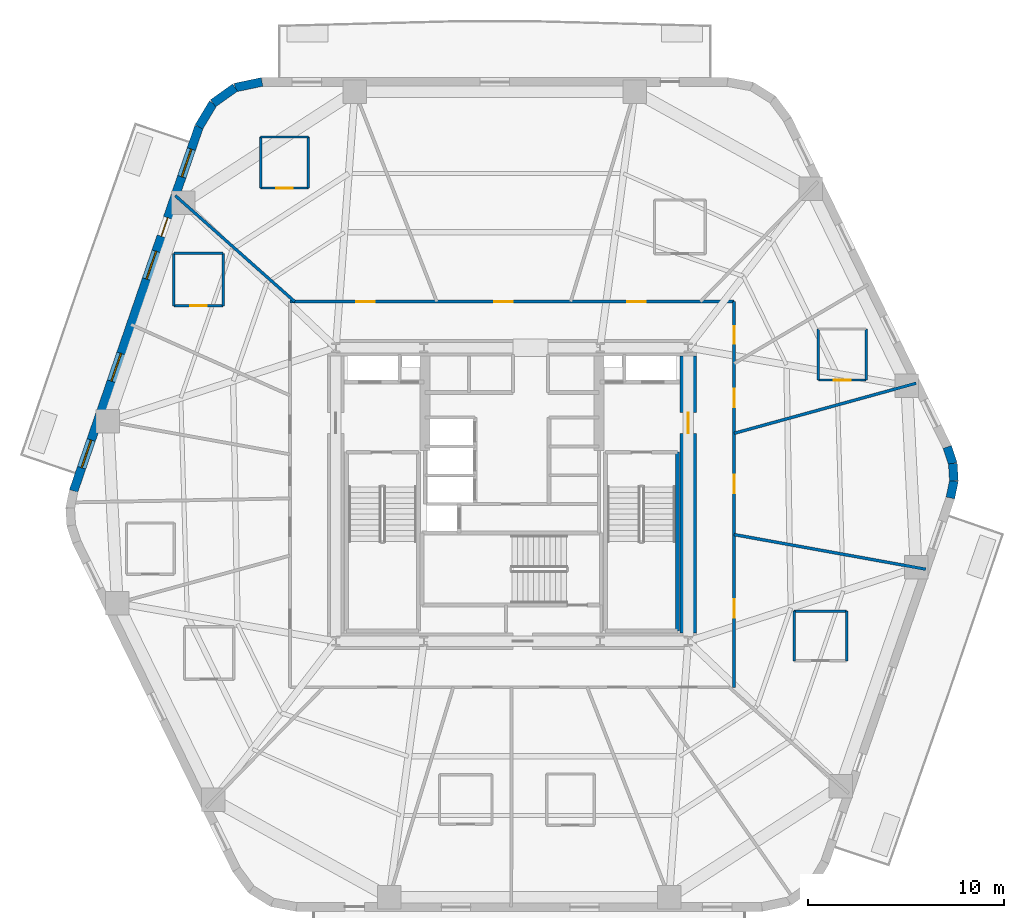
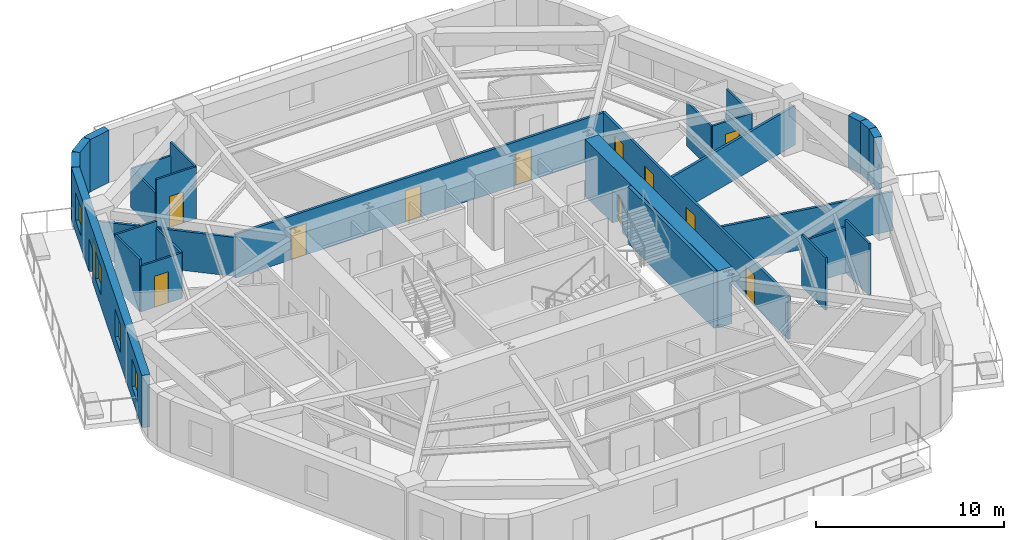
# One storey, part 5 of 8: 28 walls, 12 doors, 4 windows, 16 openings.
"""IFC4 building model written with IfcOpenShell, lengths in metres."""

import ifcopenshell
import ifcopenshell.guid

model = None  # the IFC model being written
_history = None  # IfcOwnerHistory: only IFC2X3 demands one
_inside = {}  # id of a spatial element -> (the spatial element, [elements in it])
_under = {}  # id of a project, library or spatial element -> (it, [spatial elements below it])
_declared = {}  # id of a project -> (the project, [libraries it declares])
_typed = {}  # id of a type object -> (the type object, [elements of that type])
_made_of = {}  # id of a material, layer set ... -> (it, [elements and type objects made of it])


def new_model(schema):
    """Start an empty IFC model of exactly this schema.

    Asked for "IFC4X3", IfcOpenShell would pick the latest addendum, in which some entities
    have other attributes; the version numbers below select the first issue.
    IFC2X3 requires an IfcOwnerHistory on every rooted entity: one is made here for all.
    """
    global model, _history
    if schema == "IFC4X3":
        model = ifcopenshell.file(schema_version=(4, 3, 0, 0))
    else:
        model = ifcopenshell.file(schema=schema)
    _inside.clear()
    _under.clear()
    _declared.clear()
    _typed.clear()
    _made_of.clear()
    _history = None
    if model.schema == "IFC2X3":
        org = make("IfcOrganization", Name="unknown")
        user = make(
            "IfcPersonAndOrganization",
            ThePerson=make("IfcPerson", FamilyName="unknown"),
            TheOrganization=org,
        )
        app = make(
            "IfcApplication",
            ApplicationDeveloper=org,
            Version="unknown",
            ApplicationFullName="unknown",
            ApplicationIdentifier="unknown",
        )
        _history = make(
            "IfcOwnerHistory",
            OwningUser=user,
            OwningApplication=app,
            ChangeAction="ADDED",
            CreationDate=0,
        )
    return model


def make(cls, **values):
    """One entity of the class cls with the attributes given. An attribute that is None is left unset."""
    return model.create_entity(
        cls, **{name: value for name, value in values.items() if value is not None}
    )


def rooted(cls, **values):
    """An entity with a GlobalId (a new one), such as an element, a storey or a relation."""
    return make(cls, GlobalId=ifcopenshell.guid.new(), OwnerHistory=_history, **values)


def si_unit(unit_type, name, prefix=None):
    """IfcSIUnit, for example si_unit("LENGTHUNIT", "METRE", prefix="MILLI")."""
    return make("IfcSIUnit", UnitType=unit_type, Prefix=prefix, Name=name)


def assignment(units):
    """IfcUnitAssignment: the units of a project."""
    return None if units is None else make("IfcUnitAssignment", Units=units)


def point(xyz):
    """IfcCartesianPoint."""
    return None if xyz is None else make("IfcCartesianPoint", Coordinates=xyz)


def direction(xyz):
    """IfcDirection."""
    return None if xyz is None else make("IfcDirection", DirectionRatios=xyz)


def frame(location, z_axis=None, x_axis=None):
    """IfcAxis2Placement3D, a coordinate frame: its origin and axes. An axis left out is left unset."""
    return make(
        "IfcAxis2Placement3D",
        Location=point(location),
        Axis=direction(z_axis),
        RefDirection=direction(x_axis),
    )


def frame_2d(location, x_axis=None):
    """IfcAxis2Placement2D, a coordinate frame in the plane: its origin and x axis."""
    return make(
        "IfcAxis2Placement2D", Location=point(location), RefDirection=direction(x_axis)
    )


def origin():
    """The frame at (0, 0, 0) with its axes left unset."""
    return frame((0.0, 0.0, 0.0))


def place(relative_to, where):
    """IfcLocalPlacement: puts the frame where relative to a parent placement (None: the world)."""
    return make(
        "IfcLocalPlacement", PlacementRelTo=relative_to, RelativePlacement=where
    )


def context(
    kind, dimensions, precision=None, world=None, true_north=None, identifier=None
):
    """IfcGeometricRepresentationContext, for example the 3D "Model" context."""
    return make(
        "IfcGeometricRepresentationContext",
        ContextIdentifier=identifier,
        ContextType=kind,
        CoordinateSpaceDimension=dimensions,
        Precision=precision,
        WorldCoordinateSystem=world,
        TrueNorth=true_north,
    )


def subcontext(parent, identifier, kind, view, scale=None):
    """IfcGeometricRepresentationSubContext, for example "Body" below "Model"."""
    return make(
        "IfcGeometricRepresentationSubContext",
        ContextIdentifier=identifier,
        ContextType=kind,
        ParentContext=parent,
        TargetScale=scale,
        TargetView=view,
    )


def project(units=None, contexts=None):
    """IfcProject with its units and contexts."""
    return rooted(
        "IfcProject",
        Name="project",
        RepresentationContexts=contexts,
        UnitsInContext=assignment(units),
    )


def spatial(cls, under=None, at=None, **own):
    """A site, building, storey or space (cls), placed at a placement, below another one or the project."""
    s = rooted(cls, ObjectPlacement=at, **own)
    if under is not None:
        _under.setdefault(under.id(), (under, []))[1].append(s)
    return s


def profile(cls, at=None, kind="AREA", **sizes):
    """A parametric profile (cls). Its sizes go by their IFC names, for example OverallWidth=200.0."""
    return make(cls, ProfileType=kind, Position=at, **sizes)


def rectangle(**sizes):
    """IfcRectangleProfileDef."""
    return profile("IfcRectangleProfileDef", **sizes)


def extrude(swept, where, along, depth):
    """IfcExtrudedAreaSolid: the profile swept, set in the frame where, extruded along a direction by depth."""
    return make(
        "IfcExtrudedAreaSolid",
        SweptArea=swept,
        Position=where,
        ExtrudedDirection=direction(along),
        Depth=depth,
    )


def shape(context_of_items, identifier, shape_type, items):
    """IfcShapeRepresentation: the items that make up one representation, for example the "Body"."""
    return make(
        "IfcShapeRepresentation",
        ContextOfItems=context_of_items,
        RepresentationIdentifier=identifier,
        RepresentationType=shape_type,
        Items=items,
    )


def material(Name=None, Category=None):
    """IfcMaterial."""
    return make("IfcMaterial", Name=Name, Category=Category)


def layer(
    of_material, thickness, ventilated=None, Name=None, Category=None, Priority=None
):
    """IfcMaterialLayer: one layer of a wall or slab, of a material (None: an air gap)."""
    return make(
        "IfcMaterialLayer",
        Material=of_material,
        LayerThickness=thickness,
        IsVentilated=ventilated,
        Name=Name,
        Category=Category,
        Priority=Priority,
    )


def layer_set(layers, Name=None):
    """IfcMaterialLayerSet."""
    return make("IfcMaterialLayerSet", MaterialLayers=layers, LayerSetName=Name)


def made_of(thing, what):
    """Note that an element or type object is made of a material, layer set ...; save() writes the relation."""
    if what is not None:
        _made_of.setdefault(what.id(), (what, []))[1].append(thing)
    return thing


def type_object(cls, material=None, **own):
    """A type object (cls), such as IfcWallType, which elements share."""
    return made_of(rooted(cls, **own), material)


def element(
    cls,
    number,
    at=None,
    inside=None,
    cuts=None,
    type_object=None,
    material=None,
    context=None,
    identifier="Body",
    shape_type=None,
    held_by="IfcProductDefinitionShape",
    body=None,
    shapes=None,
    **own,
):
    """One element of the class cls, such as IfcWall. Its Tag is "e" and its number.

    at: its placement. inside: the storey or other place that contains it. cuts: it is an
    opening in that element (IfcRelVoidsElement). A single representation is given by context,
    identifier, shape_type and body (its items); several are given by shapes. held_by: the class
    of the entity that holds the representations. save() writes the other relations.
    """
    e = rooted(cls, Tag="e%d" % number, ObjectPlacement=at, **own)
    if body is not None:
        shapes = [shape(context, identifier, shape_type, body)]
    if shapes is not None:
        e.Representation = make(held_by, Representations=shapes)
    if inside is not None:
        _inside.setdefault(inside.id(), (inside, []))[1].append(e)
    if cuts is not None:
        rooted(
            "IfcRelVoidsElement", RelatingBuildingElement=cuts, RelatedOpeningElement=e
        )
    if type_object is not None:
        _typed.setdefault(type_object.id(), (type_object, []))[1].append(e)
    return made_of(e, material)


def fill(opening, filler):
    """IfcRelFillsElement: the door or window that sits in an opening."""
    return rooted(
        "IfcRelFillsElement",
        RelatingOpeningElement=opening,
        RelatedBuildingElement=filler,
    )


def aggregate(whole, parts):
    """IfcRelAggregates: a whole, such as a stair, and the parts it consists of."""
    return rooted("IfcRelAggregates", RelatingObject=whole, RelatedObjects=parts)


def save(model, path):
    """Write the relations noted so far, then the file.

    IfcRelAggregates (storeys below a building ...), IfcRelContainedInSpatialStructure (elements
    in a storey), IfcRelDefinesByType, IfcRelAssociatesMaterial and IfcRelDeclares: one each for
    every whole, place, type object, material and project.
    """
    for whole, parts in _under.values():
        aggregate(whole, parts)
    for where, things in _inside.values():
        rooted(
            "IfcRelContainedInSpatialStructure",
            RelatedElements=things,
            RelatingStructure=where,
        )
    for kind, things in _typed.values():
        rooted("IfcRelDefinesByType", RelatedObjects=things, RelatingType=kind)
    for what, things in _made_of.values():
        rooted("IfcRelAssociatesMaterial", RelatedObjects=things, RelatingMaterial=what)
    for by, libraries in _declared.values():
        rooted("IfcRelDeclares", RelatingContext=by, RelatedDefinitions=libraries)
    model.write(path)


model = new_model("IFC4")

# Units and contexts
model_context = context("Model", 3, precision=1e-05, world=origin(), true_north=direction((0.0, 1.0)))
body_context = subcontext(model_context, "Body", "Model", "MODEL_VIEW")
ifc_project = project(units=[si_unit("LENGTHUNIT", "METRE"), si_unit("AREAUNIT", "SQUARE_METRE"), si_unit("VOLUMEUNIT", "CUBIC_METRE"), si_unit("PLANEANGLEUNIT", "RADIAN"), si_unit("MASSUNIT", "GRAM", prefix="KILO")], contexts=[model_context])

# Site, building, storey
site_placement = place(None, origin())
site = spatial("IfcSite", under=ifc_project, at=site_placement, CompositionType="ELEMENT")
building_placement = place(site_placement, origin())
building = spatial("IfcBuilding", under=site, at=building_placement, Name="Kilnhurst Terrace Hotel", CompositionType="ELEMENT")
storey_placement = place(building_placement, frame((0.0, 0.0, 106.199951171875)))
storey = spatial("IfcBuildingStorey", under=building, at=storey_placement, Name="L25", CompositionType="ELEMENT", Elevation=106.199951171875)

# Walls
ifc_material_1 = material(Name="Precast concrete C40/50", Category="concrete")
ifc_layer_1 = layer(ifc_material_1, 0.449951171875, Name="Precast concrete C40/50")
ifc_layer_set_1 = layer_set([ifc_layer_1], Name="Precast concrete C40/50")
wall_type_1 = type_object("IfcWallType", Name="WL-BRK-450", PredefinedType="SOLIDWALL", material=ifc_layer_set_1)
wall_1_placement = place(storey_placement, frame((22.39697265625, -0.17919921875, 0.0), z_axis=(0.0, 0.0, 1.0), x_axis=(0.199313589404, 0.979935759669, 0.0)))
element("IfcWall", 1, at=wall_1_placement, inside=storey, type_object=wall_type_1, Name="L25 Rounded Corner Brick Wall C3.1", PredefinedType="SOLIDWALL", context=body_context, shape_type="SweptSolid", body=[
    extrude(rectangle(XDim=0.8955078125, YDim=0.449951171875, at=frame_2d((0.44775390625, 0.0))), origin(), (0.0, 0.0, 1.0), 3.400146484375),
])
wall_2_placement = place(storey_placement, frame((22.575439453125, 0.6982421875, 0.0), z_axis=(0.0, 0.0, 1.0), x_axis=(-0.060980441946, 0.998138961117, 0.0)))
element("IfcWall", 2, at=wall_2_placement, inside=storey, type_object=wall_type_1, Name="L25 Rounded Corner Brick Wall C3.2", PredefinedType="SOLIDWALL", context=body_context, shape_type="SweptSolid", body=[
    extrude(rectangle(XDim=0.880859375, YDim=0.449951171875, at=frame_2d((0.4404296875, 0.0))), origin(), (0.0, 0.0, 1.0), 3.400146484375),
])
wall_3_placement = place(storey_placement, frame((22.521728515625, 1.577392578125, 0.0), z_axis=(0.0, 0.0, 1.0), x_axis=(-0.317372694837, 0.948300887151, 0.0)))
element("IfcWall", 3, at=wall_3_placement, inside=storey, type_object=wall_type_1, Name="L25 Rounded Corner Brick Wall C3.3", PredefinedType="SOLIDWALL", context=body_context, shape_type="SweptSolid", body=[
    extrude(rectangle(XDim=0.8955078125, YDim=0.449951171875, at=frame_2d((0.44775390625, 0.0))), origin(), (0.0, 0.0, 1.0), 3.400146484375),
])
wall_4_placement = place(storey_placement, frame((-12.7705078125, 21.074951171875, 0.0), z_axis=(0.0, 0.0, 1.0), x_axis=(-0.97874281988, -0.205091424819, 0.0)))
element("IfcWall", 4, at=wall_4_placement, inside=storey, type_object=wall_type_1, Name="L25 Rounded Corner Brick Wall C5.1", PredefinedType="SOLIDWALL", context=body_context, shape_type="SweptSolid", body=[
    extrude(rectangle(XDim=1.40576171875, YDim=0.449951171875, at=frame_2d((0.702880859375, 0.0))), origin(), (0.0, 0.0, 1.0), 3.400146484375),
])
wall_5_placement = place(storey_placement, frame((-14.146484375, 20.78662109375, 0.0), z_axis=(0.0, 0.0, 1.0), x_axis=(-0.814162929117, -0.580636482536, 0.0)))
element("IfcWall", 5, at=wall_5_placement, inside=storey, type_object=wall_type_1, Name="L25 Rounded Corner Brick Wall C5.2", PredefinedType="SOLIDWALL", context=body_context, shape_type="SweptSolid", body=[
    extrude(rectangle(XDim=1.382080078125, YDim=0.449951171875, at=frame_2d((0.69091796875, 0.0))), origin(), (0.0, 0.0, 1.0), 3.400146484375),
])
wall_6_placement = place(storey_placement, frame((-15.271728515625, 19.984130859375, 0.0), z_axis=(0.0, 0.0, 1.0), x_axis=(-0.512579347361, -0.858639862025, 0.0)))
element("IfcWall", 6, at=wall_6_placement, inside=storey, type_object=wall_type_1, Name="L25 Rounded Corner Brick Wall C5.3", PredefinedType="SOLIDWALL", context=body_context, shape_type="SweptSolid", body=[
    extrude(rectangle(XDim=1.406005859375, YDim=0.449951171875, at=frame_2d((0.703125, 0.0))), origin(), (0.0, 0.0, 1.0), 3.400146484375),
])

# Wall, openings, door, windows
wall_7_placement = place(storey_placement, frame((-15.992431640625, 18.77685546875, 0.0), z_axis=(0.0, 0.0, 1.0), x_axis=(-0.325606988926, -0.945505202927, 0.0)))
wall_7 = element("IfcWall", 7, at=wall_7_placement, inside=storey, type_object=wall_type_1, Name="L25 Exterior Brick Facade Wall F5", PredefinedType="SOLIDWALL", context=body_context, shape_type="SweptSolid", body=[
    extrude(rectangle(XDim=19.66943359375, YDim=0.449951171875, at=frame_2d((9.834716796875, 0.0))), origin(), (0.0, 0.0, 1.0), 3.400146484375),
])
opening_1_placement = place(wall_7_placement, frame((4.908935546875, 0.0, 0.0)))
opening_1 = element("IfcOpeningElement", 8, at=opening_1_placement, cuts=wall_7, Name="Opening BD-1000", PredefinedType="OPENING", context=body_context, shape_type="SweptSolid", body=[
    extrude(rectangle(XDim=1.0, YDim=2.14990234375, at=frame_2d((0.5, 1.074951171875))), frame((0.0, 0.23486328125, 0.0), z_axis=(0.0, -1.0, 0.0), x_axis=(1.0, 0.0, 0.0)), (0.0, 0.0, 1.0), 0.469970703125),
])
opening_2_placement = place(wall_7_placement, frame((1.197021484375, 0.0, 0.800048828125)))
opening_2 = element("IfcOpeningElement", 9, at=opening_2_placement, cuts=wall_7, Name="Opening W-02", PredefinedType="OPENING", context=body_context, shape_type="SweptSolid", body=[
    extrude(rectangle(XDim=1.5, YDim=1.800048828125, at=frame_2d((0.75, 0.89990234375))), frame((0.0, 0.23486328125, 0.0), z_axis=(0.0, -1.0, 0.0), x_axis=(1.0, 0.0, 0.0)), (0.0, 0.0, 1.0), 0.469970703125),
])
opening_3_placement = place(wall_7_placement, frame((6.719970703125, 0.0, 0.800048828125)))
opening_3 = element("IfcOpeningElement", 10, at=opening_3_placement, cuts=wall_7, Name="Opening W-02", PredefinedType="OPENING", context=body_context, shape_type="SweptSolid", body=[
    extrude(rectangle(XDim=1.5, YDim=1.800048828125, at=frame_2d((0.75, 0.89990234375))), frame((0.0, 0.23486328125, 0.0), z_axis=(0.0, -1.0, 0.0), x_axis=(1.0, 0.0, 0.0)), (0.0, 0.0, 1.0), 0.469970703125),
])
opening_4_placement = place(wall_7_placement, frame((12.238037109375, 0.0, 0.800048828125)))
opening_4 = element("IfcOpeningElement", 11, at=opening_4_placement, cuts=wall_7, Name="Opening W-02", PredefinedType="OPENING", context=body_context, shape_type="SweptSolid", body=[
    extrude(rectangle(XDim=1.5, YDim=1.800048828125, at=frame_2d((0.75, 0.89990234375))), frame((0.0, 0.23486328125, 0.0), z_axis=(0.0, -1.0, 0.0), x_axis=(1.0, 0.0, 0.0)), (0.0, 0.0, 1.0), 0.469970703125),
])
opening_5_placement = place(wall_7_placement, frame((16.91796875, 0.0, 0.800048828125)))
opening_5 = element("IfcOpeningElement", 12, at=opening_5_placement, cuts=wall_7, Name="Opening W-02", PredefinedType="OPENING", context=body_context, shape_type="SweptSolid", body=[
    extrude(rectangle(XDim=1.5, YDim=1.800048828125, at=frame_2d((0.75, 0.89990234375))), frame((0.0, 0.23486328125, 0.0), z_axis=(0.0, -1.0, 0.0), x_axis=(1.0, 0.0, 0.0)), (0.0, 0.0, 1.0), 0.469970703125),
])
ifc_material_2 = material(Name="Thermally Broken Bronze Aluminium Alloy 6063-T6 and Laminated Glass", Category="aluminium")
door_type_1 = type_object("IfcDoorType", Name="DR-EXT-BAL-1000", OperationType="NOTDEFINED", PredefinedType="DOOR", material=ifc_material_2)
door_1_placement = place(opening_1_placement, origin())
door_1 = element("IfcDoor", 13, at=door_1_placement, inside=storey, type_object=door_type_1, Name="L25 Planted Balcony Door BAL-L2B", OperationType="SINGLE_SWING_LEFT", OverallHeight=2.14990234375, OverallWidth=1.0, PredefinedType="DOOR", context=body_context, shape_type="SweptSolid", body=[
    extrude(rectangle(XDim=1.0, YDim=2.14990234375, at=frame_2d((0.5, 1.074951171875))), frame((0.0, 0.02490234375, 0.0), z_axis=(0.0, -1.0, 0.0), x_axis=(1.0, 0.0, 0.0)), (0.0, 0.0, 1.0), 0.050048828125),
])
fill(opening_1, door_1)
ifc_material_3 = material(Name="Thermally Broken Bronze Aluminium Alloy 6063-T6 and Low-E Glass", Category="aluminium")
window_type = type_object("IfcWindowType", Name="WIN-1500X1800", PartitioningType="SINGLE_PANEL", PredefinedType="WINDOW", material=ifc_material_3)
window_1_placement = place(opening_2_placement, origin())
window_1 = element("IfcWindow", 14, at=window_1_placement, inside=storey, type_object=window_type, Name="L25 Deep-Set Masonry Window F5.1", OverallHeight=1.800048828125, OverallWidth=1.5, PartitioningType="SINGLE_PANEL", PredefinedType="WINDOW", context=body_context, shape_type="SweptSolid", body=[
    extrude(rectangle(XDim=1.5, YDim=1.800048828125, at=frame_2d((0.75, 0.89990234375))), frame((0.0, 0.030029296875, 0.0), z_axis=(0.0, -1.0, 0.0), x_axis=(1.0, 0.0, 0.0)), (0.0, 0.0, 1.0), 0.06005859375),
])
fill(opening_2, window_1)
window_2_placement = place(opening_3_placement, origin())
window_2 = element("IfcWindow", 15, at=window_2_placement, inside=storey, type_object=window_type, Name="L25 Deep-Set Masonry Window F5.2", OverallHeight=1.800048828125, OverallWidth=1.5, PartitioningType="SINGLE_PANEL", PredefinedType="WINDOW", context=body_context, shape_type="SweptSolid", body=[
    extrude(rectangle(XDim=1.5, YDim=1.800048828125, at=frame_2d((0.75, 0.89990234375))), frame((0.0, 0.030029296875, 0.0), z_axis=(0.0, -1.0, 0.0), x_axis=(1.0, 0.0, 0.0)), (0.0, 0.0, 1.0), 0.06005859375),
])
fill(opening_3, window_2)
window_3_placement = place(opening_4_placement, origin())
window_3 = element("IfcWindow", 16, at=window_3_placement, inside=storey, type_object=window_type, Name="L25 Deep-Set Masonry Window F5.3", OverallHeight=1.800048828125, OverallWidth=1.5, PartitioningType="SINGLE_PANEL", PredefinedType="WINDOW", context=body_context, shape_type="SweptSolid", body=[
    extrude(rectangle(XDim=1.5, YDim=1.800048828125, at=frame_2d((0.75, 0.89990234375))), frame((0.0, 0.030029296875, 0.0), z_axis=(0.0, -1.0, 0.0), x_axis=(1.0, 0.0, 0.0)), (0.0, 0.0, 1.0), 0.06005859375),
])
fill(opening_4, window_3)
window_4_placement = place(opening_5_placement, origin())
window_4 = element("IfcWindow", 17, at=window_4_placement, inside=storey, type_object=window_type, Name="L25 Deep-Set Masonry Window F5.4", OverallHeight=1.800048828125, OverallWidth=1.5, PartitioningType="SINGLE_PANEL", PredefinedType="WINDOW", context=body_context, shape_type="SweptSolid", body=[
    extrude(rectangle(XDim=1.5, YDim=1.800048828125, at=frame_2d((0.75, 0.89990234375))), frame((0.0, 0.030029296875, 0.0), z_axis=(0.0, -1.0, 0.0), x_axis=(1.0, 0.0, 0.0)), (0.0, 0.0, 1.0), 0.06005859375),
])
fill(opening_5, window_4)

# Wall, openings, doors
ifc_material_4 = material(Name="Acoustic Double-Gypsum Corridor Partition Assembly")
ifc_layer_2 = layer(ifc_material_4, 0.14990234375, Name="Acoustic Double-Gypsum Corridor Partition Assembly")
ifc_layer_set_2 = layer_set([ifc_layer_2], Name="Acoustic Double-Gypsum Corridor Partition Assembly")
wall_type_2 = type_object("IfcWallType", Name="WL-COR-150", PredefinedType="PARTITIONING", material=ifc_layer_set_2)
wall_8_placement = place(storey_placement, frame((-11.35009765625, 9.85009765625, 0.0), z_axis=(0.0, 0.0, 1.0), x_axis=(1.0, 0.0, 0.0)))
wall_8 = element("IfcWall", 18, at=wall_8_placement, inside=storey, type_object=wall_type_2, Name="L25 Interior Wall WL-L25-COR-02", PredefinedType="PARTITIONING", context=body_context, shape_type="SweptSolid", body=[
    extrude(rectangle(XDim=22.7001953125, YDim=0.14990234375, at=frame_2d((11.35009765625, 0.0))), origin(), (0.0, 0.0, 1.0), 2.840087890625),
])
opening_6_placement = place(wall_8_placement, frame((17.237060546875, 0.0, 0.0)))
opening_6 = element("IfcOpeningElement", 19, at=opening_6_placement, cuts=wall_8, Name="Opening D-60B", PredefinedType="OPENING", context=body_context, shape_type="SweptSolid", body=[
    extrude(rectangle(XDim=0.949951171875, YDim=2.030029296875, at=frame_2d((0.47509765625, 1.01513671875))), frame((0.0, 0.0849609375, 0.0), z_axis=(0.0, -1.0, 0.0), x_axis=(1.0, 0.0, 0.0)), (0.0, 0.0, 1.0), 0.169921875),
])
opening_7_placement = place(wall_8_placement, frame((10.449951171875, 0.0, 0.0)))
opening_7 = element("IfcOpeningElement", 20, at=opening_7_placement, cuts=wall_8, Name="Opening D-60B", PredefinedType="OPENING", context=body_context, shape_type="SweptSolid", body=[
    extrude(rectangle(XDim=0.949951171875, YDim=2.030029296875, at=frame_2d((0.47509765625, 1.01513671875))), frame((0.0, 0.0849609375, 0.0), z_axis=(0.0, -1.0, 0.0), x_axis=(1.0, 0.0, 0.0)), (0.0, 0.0, 1.0), 0.169921875),
])
opening_8_placement = place(wall_8_placement, frame((3.39892578125, 0.0, 0.0)))
opening_8 = element("IfcOpeningElement", 21, at=opening_8_placement, cuts=wall_8, Name="Opening D-60B", PredefinedType="OPENING", context=body_context, shape_type="SweptSolid", body=[
    extrude(rectangle(XDim=0.949951171875, YDim=2.030029296875, at=frame_2d((0.47509765625, 1.01513671875))), frame((0.0, 0.0849609375, 0.0), z_axis=(0.0, -1.0, 0.0), x_axis=(1.0, 0.0, 0.0)), (0.0, 0.0, 1.0), 0.169921875),
])
ifc_material_5 = material(Name="Acoustic Walnut Veneer Solid-Core Fire Door")
door_type_2 = type_object("IfcDoorType", Name="DR-FD60-950", OperationType="NOTDEFINED", PredefinedType="DOOR", material=ifc_material_5)
door_2_placement = place(opening_6_placement, origin())
door_2 = element("IfcDoor", 22, at=door_2_placement, inside=storey, type_object=door_type_2, Name="L25 Executive Suite Entry Door 3", OperationType="SINGLE_SWING_LEFT", OverallHeight=2.030029296875, OverallWidth=0.949951171875, PredefinedType="DOOR", context=body_context, shape_type="SweptSolid", body=[
    extrude(rectangle(XDim=0.949951171875, YDim=2.030029296875, at=frame_2d((0.47509765625, 1.01513671875))), frame((0.0, 0.02490234375, 0.0), z_axis=(0.0, -1.0, 0.0), x_axis=(1.0, 0.0, 0.0)), (0.0, 0.0, 1.0), 0.050048828125),
])
fill(opening_6, door_2)
door_3_placement = place(opening_7_placement, origin())
door_3 = element("IfcDoor", 23, at=door_3_placement, inside=storey, type_object=door_type_2, Name="L25 Executive Boardroom Door", OperationType="SINGLE_SWING_RIGHT", OverallHeight=2.030029296875, OverallWidth=0.949951171875, PredefinedType="DOOR", context=body_context, shape_type="SweptSolid", body=[
    extrude(rectangle(XDim=0.949951171875, YDim=2.030029296875, at=frame_2d((0.47509765625, 1.01513671875))), frame((0.0, 0.02490234375, 0.0), z_axis=(0.0, -1.0, 0.0), x_axis=(1.0, 0.0, 0.0)), (0.0, 0.0, 1.0), 0.050048828125),
])
fill(opening_7, door_3)
door_4_placement = place(opening_8_placement, origin())
door_4 = element("IfcDoor", 24, at=door_4_placement, inside=storey, type_object=door_type_2, Name="L25 Executive Suite Entry Door 5", OperationType="SINGLE_SWING_LEFT", OverallHeight=2.030029296875, OverallWidth=0.949951171875, PredefinedType="DOOR", context=body_context, shape_type="SweptSolid", body=[
    extrude(rectangle(XDim=0.949951171875, YDim=2.030029296875, at=frame_2d((0.47509765625, 1.01513671875))), frame((0.0, 0.02490234375, 0.0), z_axis=(0.0, -1.0, 0.0), x_axis=(1.0, 0.0, 0.0)), (0.0, 0.0, 1.0), 0.050048828125),
])
fill(opening_8, door_4)

wall_9_placement = place(storey_placement, frame((11.35009765625, 9.85009765625, 0.0), z_axis=(0.0, 0.0, 1.0), x_axis=(0.0, -1.0, 0.0)))
wall_9 = element("IfcWall", 25, at=wall_9_placement, inside=storey, type_object=wall_type_2, Name="L25 Interior Wall WL-L25-COR-03", PredefinedType="PARTITIONING", context=body_context, shape_type="SweptSolid", body=[
    extrude(rectangle(XDim=19.7001953125, YDim=0.14990234375, at=frame_2d((9.85009765625, 0.0))), origin(), (0.0, 0.0, 1.0), 2.840087890625),
])
opening_9_placement = place(wall_9_placement, frame((4.447998046875, 0.0, 0.0)))
opening_9 = element("IfcOpeningElement", 26, at=opening_9_placement, cuts=wall_9, Name="Opening D-60B", PredefinedType="OPENING", context=body_context, shape_type="SweptSolid", body=[
    extrude(rectangle(XDim=0.949951171875, YDim=2.030029296875, at=frame_2d((0.47509765625, 1.01513671875))), frame((0.0, 0.0849609375, 0.0), z_axis=(0.0, -1.0, 0.0), x_axis=(1.0, 0.0, 0.0)), (0.0, 0.0, 1.0), 0.169921875),
])
opening_10_placement = place(wall_9_placement, frame((1.2490234375, 0.0, 0.0)))
opening_10 = element("IfcOpeningElement", 27, at=opening_10_placement, cuts=wall_9, Name="Opening D-60C", PredefinedType="OPENING", context=body_context, shape_type="SweptSolid", body=[
    extrude(rectangle(XDim=0.89990234375, YDim=2.030029296875, at=frame_2d((0.449951171875, 1.01513671875))), frame((0.0, 0.0849609375, 0.0), z_axis=(0.0, -1.0, 0.0), x_axis=(1.0, 0.0, 0.0)), (0.0, 0.0, 1.0), 0.169921875),
])
opening_11_placement = place(wall_9_placement, frame((15.205078125, 0.0, 0.0)))
opening_11 = element("IfcOpeningElement", 28, at=opening_11_placement, cuts=wall_9, Name="Opening D-60B", PredefinedType="OPENING", context=body_context, shape_type="SweptSolid", body=[
    extrude(rectangle(XDim=0.949951171875, YDim=2.030029296875, at=frame_2d((0.47509765625, 1.01513671875))), frame((0.0, 0.0849609375, 0.0), z_axis=(0.0, -1.0, 0.0), x_axis=(1.0, 0.0, 0.0)), (0.0, 0.0, 1.0), 0.169921875),
])
opening_12_placement = place(wall_9_placement, frame((8.8359375, 0.0, 0.0)))
opening_12 = element("IfcOpeningElement", 29, at=opening_12_placement, cuts=wall_9, Name="Opening D-60B", PredefinedType="OPENING", context=body_context, shape_type="SweptSolid", body=[
    extrude(rectangle(XDim=0.949951171875, YDim=2.030029296875, at=frame_2d((0.47509765625, 1.01513671875))), frame((0.0, 0.0849609375, 0.0), z_axis=(0.0, -1.0, 0.0), x_axis=(1.0, 0.0, 0.0)), (0.0, 0.0, 1.0), 0.169921875),
])
ifc_material_6 = material(Name="Painted Solid-Core Service Fire Door")
door_type_3 = type_object("IfcDoorType", Name="DR-FD60-900", OperationType="NOTDEFINED", PredefinedType="DOOR", material=ifc_material_6)
door_5_placement = place(opening_10_placement, origin())
door_5 = element("IfcDoor", 30, at=door_5_placement, inside=storey, type_object=door_type_3, Name="L25 Private Study Salon Door 2", OperationType="SINGLE_SWING_RIGHT", OverallHeight=2.030029296875, OverallWidth=0.89990234375, PredefinedType="DOOR", context=body_context, shape_type="SweptSolid", body=[
    extrude(rectangle(XDim=0.89990234375, YDim=2.030029296875, at=frame_2d((0.449951171875, 1.01513671875))), frame((0.0, 0.02490234375, 0.0), z_axis=(0.0, -1.0, 0.0), x_axis=(1.0, 0.0, 0.0)), (0.0, 0.0, 1.0), 0.050048828125),
])
fill(opening_10, door_5)
door_6_placement = place(opening_9_placement, origin())
door_6 = element("IfcDoor", 31, at=door_6_placement, inside=storey, type_object=door_type_2, Name="L25 Guest Room Entry Door 1", OperationType="SINGLE_SWING_LEFT", OverallHeight=2.030029296875, OverallWidth=0.949951171875, PredefinedType="DOOR", context=body_context, shape_type="SweptSolid", body=[
    extrude(rectangle(XDim=0.949951171875, YDim=2.030029296875, at=frame_2d((0.47509765625, 1.01513671875))), frame((0.0, 0.02490234375, 0.0), z_axis=(0.0, -1.0, 0.0), x_axis=(1.0, 0.0, 0.0)), (0.0, 0.0, 1.0), 0.050048828125),
])
fill(opening_9, door_6)
door_7_placement = place(opening_11_placement, origin())
door_7 = element("IfcDoor", 32, at=door_7_placement, inside=storey, type_object=door_type_2, Name="L25 Executive Suite Entry Door 16", OperationType="SINGLE_SWING_RIGHT", OverallHeight=2.030029296875, OverallWidth=0.949951171875, PredefinedType="DOOR", context=body_context, shape_type="SweptSolid", body=[
    extrude(rectangle(XDim=0.949951171875, YDim=2.030029296875, at=frame_2d((0.47509765625, 1.01513671875))), frame((0.0, 0.02490234375, 0.0), z_axis=(0.0, -1.0, 0.0), x_axis=(1.0, 0.0, 0.0)), (0.0, 0.0, 1.0), 0.050048828125),
])
fill(opening_11, door_7)
door_8_placement = place(opening_12_placement, origin())
door_8 = element("IfcDoor", 33, at=door_8_placement, inside=storey, type_object=door_type_2, Name="L25 Private Dining Room Door", OperationType="SINGLE_SWING_LEFT", OverallHeight=2.030029296875, OverallWidth=0.949951171875, PredefinedType="DOOR", context=body_context, shape_type="SweptSolid", body=[
    extrude(rectangle(XDim=0.949951171875, YDim=2.030029296875, at=frame_2d((0.47509765625, 1.01513671875))), frame((0.0, 0.02490234375, 0.0), z_axis=(0.0, -1.0, 0.0), x_axis=(1.0, 0.0, 0.0)), (0.0, 0.0, 1.0), 0.050048828125),
])
fill(opening_12, door_8)

# Wall, opening, door
ifc_material_7 = material(Name="Concrete C80/95", Category="concrete")
ifc_layer_3 = layer(ifc_material_7, 0.85009765625, Name="Concrete C80/95")
ifc_layer_set_3 = layer_set([ifc_layer_3], Name="Concrete C80/95")
wall_type_3 = type_object("IfcWallType", Name="WL-CORE-850", PredefinedType="SHEAR", material=ifc_layer_set_3)
wall_10_placement = place(storey_placement, frame((9.0, -7.074951171875, 0.0), z_axis=(0.0, 0.0, 1.0), x_axis=(0.0, 1.0, 0.0)))
wall_10 = element("IfcWall", 34, at=wall_10_placement, inside=storey, type_object=wall_type_3, Name="L25 Core East Shear Wall", PredefinedType="SHEAR", context=body_context, shape_type="SweptSolid", body=[
    extrude(rectangle(XDim=14.14990234375, YDim=0.85009765625, at=frame_2d((7.074951171875, 0.0))), origin(), (0.0, 0.0, 1.0), 3.699951171875),
])
opening_13_placement = place(wall_10_placement, frame((10.199951171875, 0.0, 0.0)))
opening_13 = element("IfcOpeningElement", 35, at=opening_13_placement, cuts=wall_10, Name="Opening D-90A", PredefinedType="OPENING", context=body_context, shape_type="SweptSolid", body=[
    extrude(rectangle(XDim=1.050048828125, YDim=2.14990234375, at=frame_2d((0.52490234375, 1.074951171875))), frame((0.0, 0.43505859375, 0.0), z_axis=(0.0, -1.0, 0.0), x_axis=(1.0, 0.0, 0.0)), (0.0, 0.0, 1.0), 0.8701171875),
])
ifc_material_8 = material(Name="Painted Hollow Metal Steel ASTM A36 Fire Door", Category="steel")
door_type_4 = type_object("IfcDoorType", Name="DR-FD90-1050", OperationType="NOTDEFINED", PredefinedType="DOOR", material=ifc_material_8)
door_9_placement = place(opening_13_placement, origin())
door_9 = element("IfcDoor", 36, at=door_9_placement, inside=storey, type_object=door_type_4, Name="L25 East Firefighting Lobby Door", OperationType="SINGLE_SWING_LEFT", OverallHeight=2.14990234375, OverallWidth=1.050048828125, PredefinedType="DOOR", context=body_context, shape_type="SweptSolid", body=[
    extrude(rectangle(XDim=1.050048828125, YDim=2.14990234375, at=frame_2d((0.52490234375, 1.074951171875))), frame((0.0, 0.02490234375, 0.0), z_axis=(0.0, -1.0, 0.0), x_axis=(1.0, 0.0, 0.0)), (0.0, 0.0, 1.0), 0.050048828125),
])
fill(opening_13, door_9)

# Walls
ifc_material_9 = material(Name="STC-58 Acoustic Twin-Frame Guestroom Demising Partition")
ifc_layer_4 = layer(ifc_material_9, 0.14990234375, Name="STC-58 Acoustic Twin-Frame Guestroom Demising Partition")
ifc_layer_set_4 = layer_set([ifc_layer_4], Name="STC-58 Acoustic Twin-Frame Guestroom Demising Partition")
wall_type_4 = type_object("IfcWallType", Name="WL-DEM-150", PredefinedType="PARTITIONING", material=ifc_layer_set_4)
wall_11_placement = place(storey_placement, frame((11.35009765625, 3.123291015625, 0.0), z_axis=(0.0, 0.0, 1.0), x_axis=(0.964151983214, 0.265350623261, 0.0)))
element("IfcWall", 37, at=wall_11_placement, inside=storey, type_object=wall_type_4, Name="L25 Interior Wall WL-L25-DEM-COL01-01-1", PredefinedType="PARTITIONING", context=body_context, shape_type="SweptSolid", body=[
    extrude(rectangle(XDim=9.64501953125, YDim=0.14990234375, at=frame_2d((4.822509765625, 0.0))), origin(), (0.0, 0.0, 1.0), 2.5400390625),
])
wall_12_placement = place(storey_placement, frame((-11.097900390625, 9.85009765625, 0.0), z_axis=(0.0, 0.0, 1.0), x_axis=(-0.747904295103, 0.663806572253, 0.0)))
element("IfcWall", 38, at=wall_12_placement, inside=storey, type_object=wall_type_4, Name="L25 Interior Wall WL-L25-DEM-COL05-06-1", PredefinedType="PARTITIONING", context=body_context, shape_type="SweptSolid", body=[
    extrude(rectangle(XDim=8.160400390625, YDim=0.14990234375, at=frame_2d((4.080078125, 0.0))), origin(), (0.0, 0.0, 1.0), 2.5400390625),
])
wall_13_placement = place(storey_placement, frame((11.35009765625, -2.05078125, 0.0), z_axis=(0.0, 0.0, 1.0), x_axis=(0.984068313063, -0.177790762484, 0.0)))
element("IfcWall", 39, at=wall_13_placement, inside=storey, type_object=wall_type_4, Name="L25 Interior Wall WL-L25-DEM-COL12-17-1", PredefinedType="PARTITIONING", context=body_context, shape_type="SweptSolid", body=[
    extrude(rectangle(XDim=9.951416015625, YDim=0.14990234375, at=frame_2d((4.9755859375, 0.0))), origin(), (0.0, 0.0, 1.0), 2.5400390625),
])

# Wall, opening, door
ifc_material_10 = material(Name="120 mm Moisture-Resistant Tile-Backed Bathroom Partition")
ifc_layer_5 = layer(ifc_material_10, 0.1201171875, Name="120 mm Moisture-Resistant Tile-Backed Bathroom Partition")
ifc_layer_set_5 = layer_set([ifc_layer_5], Name="120 mm Moisture-Resistant Tile-Backed Bathroom Partition")
wall_type_5 = type_object("IfcWallType", Name="WL-PART-120", PredefinedType="PARTITIONING", material=ifc_layer_set_5)
wall_14_placement = place(storey_placement, frame((15.654052734375, 5.845947265625, 0.0), z_axis=(0.0, 0.0, 1.0), x_axis=(1.0, 0.0, 0.0)))
wall_14 = element("IfcWall", 40, at=wall_14_placement, inside=storey, type_object=wall_type_5, Name="L25 Interior Wall WL-L25-BTH-01-1", PredefinedType="PARTITIONING", context=body_context, shape_type="SweptSolid", body=[
    extrude(rectangle(XDim=2.43994140625, YDim=0.1201171875, at=frame_2d((1.219970703125, 0.0))), origin(), (0.0, 0.0, 1.0), 2.840087890625),
])
opening_14_placement = place(wall_14_placement, frame((0.794921875, 0.0, 0.0)))
opening_14 = element("IfcOpeningElement", 41, at=opening_14_placement, cuts=wall_14, Name="Opening D-08A", PredefinedType="OPENING", context=body_context, shape_type="SweptSolid", body=[
    extrude(rectangle(XDim=0.85009765625, YDim=2.030029296875, at=frame_2d((0.425048828125, 1.01513671875))), frame((0.0, 0.070068359375, 0.0), z_axis=(0.0, -1.0, 0.0), x_axis=(1.0, 0.0, 0.0)), (0.0, 0.0, 1.0), 0.14013671875),
])
ifc_material_11 = material(Name="Moisture-Resistant Lacquered En-suite Bathroom Door")
door_type_5 = type_object("IfcDoorType", Name="DR-INT-850", OperationType="NOTDEFINED", PredefinedType="DOOR", material=ifc_material_11)
door_10_placement = place(opening_14_placement, origin())
door_10 = element("IfcDoor", 42, at=door_10_placement, inside=storey, type_object=door_type_5, Name="L25 En-suite Bathroom Door 1", OperationType="SINGLE_SWING_RIGHT", OverallHeight=2.030029296875, OverallWidth=0.85009765625, PredefinedType="DOOR", context=body_context, shape_type="SweptSolid", body=[
    extrude(rectangle(XDim=0.85009765625, YDim=2.030029296875, at=frame_2d((0.425048828125, 1.01513671875))), frame((0.0, 0.02490234375, 0.0), z_axis=(0.0, -1.0, 0.0), x_axis=(1.0, 0.0, 0.0)), (0.0, 0.0, 1.0), 0.050048828125),
])
fill(opening_14, door_10)

# Walls
for number, where, z_axis, x_axis, name in (
    (43, (18.093994140625, 5.845947265625, 0.0), (0.0, 0.0, 1.0), (0.0, 1.0, 0.0), "L25 Interior Wall WL-L25-BTH-01-2"),
    (44, (15.654052734375, 8.4560546875, 0.0), (0.0, 0.0, 1.0), (0.0, -1.0, 0.0), "L25 Interior Wall WL-L25-BTH-01-4"),
):
    element("IfcWall", number, at=place(storey_placement, frame(where, z_axis=z_axis, x_axis=x_axis)), inside=storey, type_object=wall_type_5, Name=name, PredefinedType="PARTITIONING", context=body_context, shape_type="SweptSolid", body=[
        extrude(rectangle(XDim=2.610107421875, YDim=0.1201171875, at=frame_2d((1.30517578125, 0.0))), origin(), (0.0, 0.0, 1.0), 2.840087890625),
    ])

# Wall, opening, door
wall_15_placement = place(storey_placement, frame((-12.844970703125, 15.655029296875, 0.0), z_axis=(0.0, 0.0, 1.0), x_axis=(1.0, 0.0, 0.0)))
wall_15 = element("IfcWall", 45, at=wall_15_placement, inside=storey, type_object=wall_type_5, Name="L25 Interior Wall WL-L25-BTH-05-1", PredefinedType="PARTITIONING", context=body_context, shape_type="SweptSolid", body=[
    extrude(rectangle(XDim=2.43994140625, YDim=0.1201171875, at=frame_2d((1.219970703125, 0.0))), origin(), (0.0, 0.0, 1.0), 3.400146484375),
])
opening_15_placement = place(wall_15_placement, frame((0.794921875, 0.0, 0.0)))
opening_15 = element("IfcOpeningElement", 46, at=opening_15_placement, cuts=wall_15, Name="Opening D-08A", PredefinedType="OPENING", context=body_context, shape_type="SweptSolid", body=[
    extrude(rectangle(XDim=0.85009765625, YDim=2.030029296875, at=frame_2d((0.425048828125, 1.01513671875))), frame((0.0, 0.070068359375, 0.0), z_axis=(0.0, -1.0, 0.0), x_axis=(1.0, 0.0, 0.0)), (0.0, 0.0, 1.0), 0.14013671875),
])
door_11_placement = place(opening_15_placement, origin())
door_11 = element("IfcDoor", 47, at=door_11_placement, inside=storey, type_object=door_type_5, Name="L25 En-suite Bathroom Door 5", OperationType="SINGLE_SWING_RIGHT", OverallHeight=2.030029296875, OverallWidth=0.85009765625, PredefinedType="DOOR", context=body_context, shape_type="SweptSolid", body=[
    extrude(rectangle(XDim=0.85009765625, YDim=2.030029296875, at=frame_2d((0.425048828125, 1.01513671875))), frame((0.0, 0.02490234375, 0.0), z_axis=(0.0, -1.0, 0.0), x_axis=(1.0, 0.0, 0.0)), (0.0, 0.0, 1.0), 0.050048828125),
])
fill(opening_15, door_11)

# Walls
wall_16_placement = place(storey_placement, frame((-10.405029296875, 15.655029296875, 0.0), z_axis=(0.0, 0.0, 1.0), x_axis=(0.0, 1.0, 0.0)))
element("IfcWall", 48, at=wall_16_placement, inside=storey, type_object=wall_type_5, Name="L25 Interior Wall WL-L25-BTH-05-2", PredefinedType="PARTITIONING", context=body_context, shape_type="SweptSolid", body=[
    extrude(rectangle(XDim=2.60986328125, YDim=0.1201171875, at=frame_2d((1.304931640625, 0.0))), origin(), (0.0, 0.0, 1.0), 3.400146484375),
])
wall_17_placement = place(storey_placement, frame((-10.405029296875, 18.264892578125, 0.0), z_axis=(0.0, 0.0, 1.0), x_axis=(-1.0, 0.0, 0.0)))
element("IfcWall", 49, at=wall_17_placement, inside=storey, type_object=wall_type_5, Name="L25 Interior Wall WL-L25-BTH-05-3", PredefinedType="PARTITIONING", context=body_context, shape_type="SweptSolid", body=[
    extrude(rectangle(XDim=2.43994140625, YDim=0.1201171875, at=frame_2d((1.219970703125, 0.0))), origin(), (0.0, 0.0, 1.0), 2.5400390625),
])
wall_18_placement = place(storey_placement, frame((-12.844970703125, 18.264892578125, 0.0), z_axis=(0.0, 0.0, 1.0), x_axis=(0.0, -1.0, 0.0)))
element("IfcWall", 50, at=wall_18_placement, inside=storey, type_object=wall_type_5, Name="L25 Interior Wall WL-L25-BTH-05-4", PredefinedType="PARTITIONING", context=body_context, shape_type="SweptSolid", body=[
    extrude(rectangle(XDim=2.60986328125, YDim=0.1201171875, at=frame_2d((1.304931640625, 0.0))), origin(), (0.0, 0.0, 1.0), 2.5400390625),
])

# Wall, opening, door
wall_19_placement = place(storey_placement, frame((-17.27392578125, 9.639892578125, 0.0), z_axis=(0.0, 0.0, 1.0), x_axis=(1.0, 0.0, 0.0)))
wall_19 = element("IfcWall", 51, at=wall_19_placement, inside=storey, type_object=wall_type_5, Name="L25 Interior Wall WL-L25-BTH-06-1", PredefinedType="PARTITIONING", context=body_context, shape_type="SweptSolid", body=[
    extrude(rectangle(XDim=2.52001953125, YDim=0.1201171875, at=frame_2d((1.260009765625, 0.0))), origin(), (0.0, 0.0, 1.0), 2.972412109375),
])
opening_16_placement = place(wall_19_placement, frame((0.8349609375, 0.0, 0.0)))
opening_16 = element("IfcOpeningElement", 52, at=opening_16_placement, cuts=wall_19, Name="Opening D-08A", PredefinedType="OPENING", context=body_context, shape_type="SweptSolid", body=[
    extrude(rectangle(XDim=0.85009765625, YDim=2.030029296875, at=frame_2d((0.425048828125, 1.01513671875))), frame((0.0, 0.070068359375, 0.0), z_axis=(0.0, -1.0, 0.0), x_axis=(1.0, 0.0, 0.0)), (0.0, 0.0, 1.0), 0.14013671875),
])
door_12_placement = place(opening_16_placement, origin())
door_12 = element("IfcDoor", 53, at=door_12_placement, inside=storey, type_object=door_type_5, Name="L25 En-suite Bathroom Door 6", OperationType="SINGLE_SWING_LEFT", OverallHeight=2.030029296875, OverallWidth=0.85009765625, PredefinedType="DOOR", context=body_context, shape_type="SweptSolid", body=[
    extrude(rectangle(XDim=0.85009765625, YDim=2.030029296875, at=frame_2d((0.425048828125, 1.01513671875))), frame((0.0, 0.02490234375, 0.0), z_axis=(0.0, -1.0, 0.0), x_axis=(1.0, 0.0, 0.0)), (0.0, 0.0, 1.0), 0.050048828125),
])
fill(opening_16, door_12)

# Walls
wall_20_placement = place(storey_placement, frame((-14.75390625, 9.639892578125, 0.0), z_axis=(0.0, 0.0, 1.0), x_axis=(0.0, 1.0, 0.0)))
element("IfcWall", 54, at=wall_20_placement, inside=storey, type_object=wall_type_5, Name="L25 Interior Wall WL-L25-BTH-06-2", PredefinedType="PARTITIONING", context=body_context, shape_type="SweptSolid", body=[
    extrude(rectangle(XDim=2.68017578125, YDim=0.1201171875, at=frame_2d((1.340087890625, 0.0))), origin(), (0.0, 0.0, 1.0), 2.972412109375),
])
wall_21_placement = place(storey_placement, frame((-14.75390625, 12.320068359375, 0.0), z_axis=(0.0, 0.0, 1.0), x_axis=(-1.0, 0.0, 0.0)))
element("IfcWall", 55, at=wall_21_placement, inside=storey, type_object=wall_type_5, Name="L25 Interior Wall WL-L25-BTH-06-3", PredefinedType="PARTITIONING", context=body_context, shape_type="SweptSolid", body=[
    extrude(rectangle(XDim=2.52001953125, YDim=0.1201171875, at=frame_2d((1.260009765625, 0.0))), origin(), (0.0, 0.0, 1.0), 3.400146484375),
])
wall_22_placement = place(storey_placement, frame((-17.27392578125, 12.320068359375, 0.0), z_axis=(0.0, 0.0, 1.0), x_axis=(0.0, -1.0, 0.0)))
element("IfcWall", 56, at=wall_22_placement, inside=storey, type_object=wall_type_5, Name="L25 Interior Wall WL-L25-BTH-06-4", PredefinedType="PARTITIONING", context=body_context, shape_type="SweptSolid", body=[
    extrude(rectangle(XDim=2.68017578125, YDim=0.1201171875, at=frame_2d((1.340087890625, 0.0))), origin(), (0.0, 0.0, 1.0), 3.400146484375),
])
wall_23_placement = place(storey_placement, frame((17.093994140625, -8.5, 0.0), z_axis=(0.0, 0.0, 1.0), x_axis=(0.0, 1.0, 0.0)))
element("IfcWall", 57, at=wall_23_placement, inside=storey, type_object=wall_type_5, Name="L25 Interior Wall WL-L25-BTH-16-2", PredefinedType="PARTITIONING", context=body_context, shape_type="SweptSolid", body=[
    extrude(rectangle(XDim=2.5400390625, YDim=0.1201171875, at=frame_2d((1.27001953125, 0.0))), origin(), (0.0, 0.0, 1.0), 3.400146484375),
])
wall_24_placement = place(storey_placement, frame((17.093994140625, -5.9599609375, 0.0), z_axis=(0.0, 0.0, 1.0), x_axis=(-1.0, 0.0, 0.0)))
element("IfcWall", 58, at=wall_24_placement, inside=storey, type_object=wall_type_5, Name="L25 Interior Wall WL-L25-BTH-16-3", PredefinedType="PARTITIONING", context=body_context, shape_type="SweptSolid", body=[
    extrude(rectangle(XDim=2.679931640625, YDim=0.1201171875, at=frame_2d((1.33984375, 0.0))), origin(), (0.0, 0.0, 1.0), 2.972412109375),
])
wall_25_placement = place(storey_placement, frame((14.4140625, -5.9599609375, 0.0), z_axis=(0.0, 0.0, 1.0), x_axis=(0.0, -1.0, 0.0)))
element("IfcWall", 59, at=wall_25_placement, inside=storey, type_object=wall_type_5, Name="L25 Interior Wall WL-L25-BTH-16-4", PredefinedType="PARTITIONING", context=body_context, shape_type="SweptSolid", body=[
    extrude(rectangle(XDim=2.5400390625, YDim=0.1201171875, at=frame_2d((1.27001953125, 0.0))), origin(), (0.0, 0.0, 1.0), 3.400146484375),
])
ifc_material_12 = material(Name="Concrete C50/60", Category="concrete")
ifc_layer_6 = layer(ifc_material_12, 0.199951171875, Name="Concrete C50/60")
ifc_layer_set_6 = layer_set([ifc_layer_6], Name="Concrete C50/60")
wall_type_6 = type_object("IfcWallType", Name="WL-STAIR-RC-200", PredefinedType="SHEAR", material=ifc_layer_set_6)
wall_26_placement = place(storey_placement, frame((8.4580078125, -6.985107421875, 0.0), z_axis=(0.0, 0.0, 1.0), x_axis=(0.0, 1.0, 0.0)))
element("IfcWall", 60, at=wall_26_placement, inside=storey, type_object=wall_type_6, Name="L25 Structural Stair Shaft Wall WL-L25-ST2-E", PredefinedType="SHEAR", context=body_context, shape_type="SweptSolid", body=[
    extrude(rectangle(XDim=9.14306640625, YDim=0.199951171875, at=frame_2d((4.571533203125, 0.0))), origin(), (0.0, 0.0, 1.0), 3.699951171875),
])

save(model, "model.ifc")
